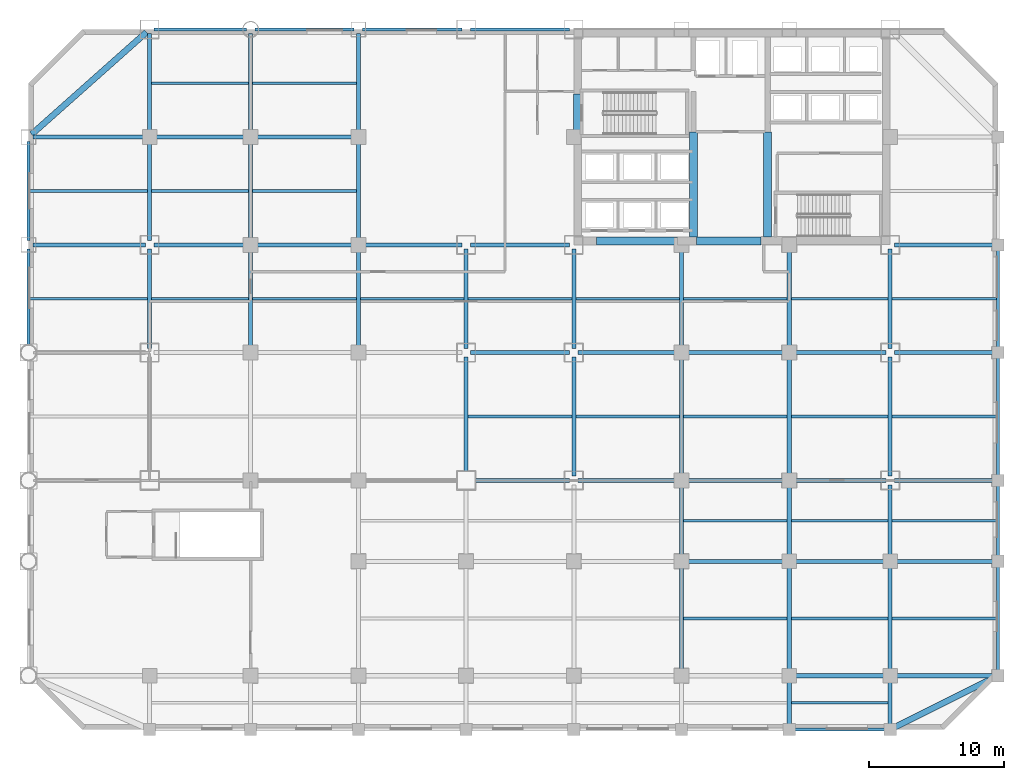
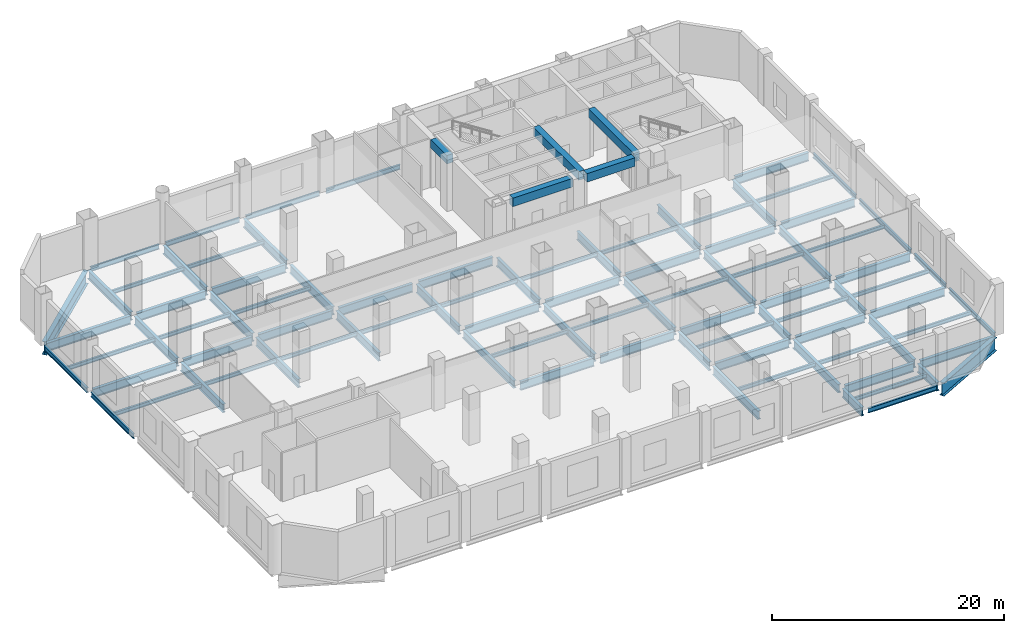
# One storey, part 2 of 9: 95 beams.
"""IFC4 building model written with IfcOpenShell, lengths in metres."""

from ifc_helpers import new_model, si_unit, direction, frame, origin, origin_2d, place, context, subcontext, project, spatial, rectangle, i_section, extrude, material, material_profile, profile_set, type_object, element, save


model = new_model("IFC4")

# Units and contexts
model_context = context("Model", 3, precision=1e-05, world=origin(), true_north=direction((0.0, 1.0)))
body_context = subcontext(model_context, "Body", "Model", "MODEL_VIEW")
ifc_project = project(units=[si_unit("LENGTHUNIT", "METRE"), si_unit("AREAUNIT", "SQUARE_METRE"), si_unit("VOLUMEUNIT", "CUBIC_METRE"), si_unit("PLANEANGLEUNIT", "RADIAN"), si_unit("MASSUNIT", "GRAM", prefix="KILO")], contexts=[model_context])

# Site, building, storey
site_placement = place(None, origin())
site = spatial("IfcSite", under=ifc_project, at=site_placement, CompositionType="ELEMENT")
building_placement = place(site_placement, origin())
building = spatial("IfcBuilding", under=site, at=building_placement, Name="Qianrong Seaharbour Tower", CompositionType="ELEMENT")
storey_placement = place(building_placement, frame((0.0, 0.0, 22.800048828125)))
storey = spatial("IfcBuildingStorey", under=building, at=storey_placement, Name="L05", CompositionType="ELEMENT", Elevation=22.800048828125)

# Beams
ifc_material_1 = material(Name="Structural steel SN490B", Category="steel")
ifc_material_profile_1 = material_profile(ifc_material_1, i_section(OverallWidth=0.300048828125, OverallDepth=0.800048828125, WebThickness=0.013916015625, FlangeThickness=0.02587890625, FilletRadius=0.028076171875, at=origin_2d()), Name="H800x300x14x26")
ifc_profile_set_1 = profile_set([ifc_material_profile_1], Name="Structural steel SN490B")
beam_type_1 = type_object("IfcBeamType", Name="BM-G-800", PredefinedType="BEAM", material=ifc_profile_set_1)
for number, where, z_axis, x_axis, name in (
    (1, (32.5, 18.820068359375, -0.66015625), (0.0, 1.0, 0.0), (-1.0, 0.0, 0.0), "L05 Primary Girder G5 GD-GE"),
    (2, (40.5, 18.820068359375, -0.66015625), (0.0, 1.0, 0.0), (-1.0, 0.0, 0.0), "L05 Primary Girder G6 GD-GE"),
    (3, (48.5, 18.820068359375, -0.66015625), (0.0, 1.0, 0.0), (-1.0, 0.0, 0.0), "L05 Primary Girder G7 GD-GE"),
    (4, (56.5, 18.820068359375, -0.66015625), (0.0, 1.0, 0.0), (-1.0, 0.0, 0.0), "L05 Primary Girder G8 GD-GE"),
    (5, (64.0, 18.820068359375, -0.66015625), (0.0, 1.0, 0.0), (-1.0, 0.0, 0.0), "L05 Primary Girder G9 GD-GE"),
):
    element("IfcBeam", number, at=place(storey_placement, frame(where, z_axis=z_axis, x_axis=x_axis)), inside=storey, type_object=beam_type_1, Name=name, PredefinedType="BEAM", context=body_context, shape_type="SweptSolid", body=[
        extrude(i_section(OverallWidth=0.300048828125, OverallDepth=0.800048828125, WebThickness=0.013916015625, FlangeThickness=0.02587890625, FilletRadius=0.028076171875, at=origin_2d()), origin(), (0.0, 0.0, 1.0), 8.85986328125),
    ])
ifc_material_profile_2 = material_profile(ifc_material_1, i_section(OverallWidth=0.300048828125, OverallDepth=0.89990234375, WebThickness=0.01611328125, FlangeThickness=0.028076171875, FilletRadius=0.028076171875, at=origin_2d()), Name="H900x300x16x28")
ifc_profile_set_2 = profile_set([ifc_material_profile_2], Name="Structural steel SN490B")
beam_type_2 = type_object("IfcBeamType", Name="BM-G-900", PredefinedType="BEAM", material=ifc_profile_set_2)
beam_1_placement = place(storey_placement, frame((56.820068359375, 4.0, -0.7099609375), z_axis=(1.0, 0.0, 0.0), x_axis=(0.0, 1.0, 0.0)))
element("IfcBeam", 6, at=beam_1_placement, inside=storey, type_object=beam_type_2, Name="L05 Primary Girder GB G8-G9", PredefinedType="BEAM", context=body_context, shape_type="SweptSolid", body=[
    extrude(i_section(OverallWidth=0.300048828125, OverallDepth=0.89990234375, WebThickness=0.01611328125, FlangeThickness=0.028076171875, FilletRadius=0.028076171875, at=origin_2d()), origin(), (0.0, 0.0, 1.0), 6.85986328125),
])
for number, where, z_axis, x_axis, name in (
    (7, (64.320068359375, 4.0, -0.7099609375), (1.0, 0.0, 0.0), (0.0, 1.0, 0.0), "L05 Primary Girder GB G9-G10"),
    (8, (48.820068359375, 12.5, -0.7099609375), (1.0, 0.0, 0.0), (0.0, 1.0, 0.0), "L05 Primary Girder GC G7-G8"),
):
    element("IfcBeam", number, at=place(storey_placement, frame(where, z_axis=z_axis, x_axis=x_axis)), inside=storey, type_object=beam_type_2, Name=name, PredefinedType="BEAM", context=body_context, shape_type="SweptSolid", body=[
        extrude(i_section(OverallWidth=0.300048828125, OverallDepth=0.89990234375, WebThickness=0.01611328125, FlangeThickness=0.028076171875, FilletRadius=0.028076171875, at=origin_2d()), origin(), (0.0, 0.0, 1.0), 7.35986328125),
    ])
beam_2_placement = place(storey_placement, frame((56.820068359375, 12.5, -0.7099609375), z_axis=(1.0, 0.0, 0.0), x_axis=(0.0, 1.0, 0.0)))
element("IfcBeam", 9, at=beam_2_placement, inside=storey, type_object=beam_type_2, Name="L05 Primary Girder GC G8-G9", PredefinedType="BEAM", context=body_context, shape_type="SweptSolid", body=[
    extrude(i_section(OverallWidth=0.300048828125, OverallDepth=0.89990234375, WebThickness=0.01611328125, FlangeThickness=0.028076171875, FilletRadius=0.028076171875, at=origin_2d()), origin(), (0.0, 0.0, 1.0), 6.85986328125),
])
for number, where, z_axis, x_axis, name in (
    (10, (64.320068359375, 12.5, -0.7099609375), (1.0, 0.0, 0.0), (0.0, 1.0, 0.0), "L05 Primary Girder GC G9-G10"),
    (11, (32.820068359375, 18.5, -0.7099609375), (1.0, 0.0, 0.0), (0.0, 1.0, 0.0), "L05 Primary Girder GD G5-G6"),
    (12, (40.820068359375, 18.5, -0.7099609375), (1.0, 0.0, 0.0), (0.0, 1.0, 0.0), "L05 Primary Girder GD G6-G7"),
    (13, (48.820068359375, 18.5, -0.7099609375), (1.0, 0.0, 0.0), (0.0, 1.0, 0.0), "L05 Primary Girder GD G7-G8"),
):
    element("IfcBeam", number, at=place(storey_placement, frame(where, z_axis=z_axis, x_axis=x_axis)), inside=storey, type_object=beam_type_2, Name=name, PredefinedType="BEAM", context=body_context, shape_type="SweptSolid", body=[
        extrude(i_section(OverallWidth=0.300048828125, OverallDepth=0.89990234375, WebThickness=0.01611328125, FlangeThickness=0.028076171875, FilletRadius=0.028076171875, at=origin_2d()), origin(), (0.0, 0.0, 1.0), 7.35986328125),
    ])
beam_3_placement = place(storey_placement, frame((56.820068359375, 18.5, -0.7099609375), z_axis=(1.0, 0.0, 0.0), x_axis=(0.0, 1.0, 0.0)))
element("IfcBeam", 14, at=beam_3_placement, inside=storey, type_object=beam_type_2, Name="L05 Primary Girder GD G8-G9", PredefinedType="BEAM", context=body_context, shape_type="SweptSolid", body=[
    extrude(i_section(OverallWidth=0.300048828125, OverallDepth=0.89990234375, WebThickness=0.01611328125, FlangeThickness=0.028076171875, FilletRadius=0.028076171875, at=origin_2d()), origin(), (0.0, 0.0, 1.0), 6.85986328125),
])
for number, where, z_axis, x_axis, name in (
    (15, (64.320068359375, 18.5, -0.7099609375), (1.0, 0.0, 0.0), (0.0, 1.0, 0.0), "L05 Primary Girder GD G9-G10"),
    (16, (32.820068359375, 28.0, -0.7099609375), (1.0, 0.0, 0.0), (0.0, 1.0, 0.0), "L05 Primary Girder GE G5-G6"),
    (17, (40.820068359375, 28.0, -0.7099609375), (1.0, 0.0, 0.0), (0.0, 1.0, 0.0), "L05 Primary Girder GE G6-G7"),
    (18, (48.820068359375, 28.0, -0.7099609375), (1.0, 0.0, 0.0), (0.0, 1.0, 0.0), "L05 Primary Girder GE G7-G8"),
):
    element("IfcBeam", number, at=place(storey_placement, frame(where, z_axis=z_axis, x_axis=x_axis)), inside=storey, type_object=beam_type_2, Name=name, PredefinedType="BEAM", context=body_context, shape_type="SweptSolid", body=[
        extrude(i_section(OverallWidth=0.300048828125, OverallDepth=0.89990234375, WebThickness=0.01611328125, FlangeThickness=0.028076171875, FilletRadius=0.028076171875, at=origin_2d()), origin(), (0.0, 0.0, 1.0), 7.35986328125),
    ])
beam_4_placement = place(storey_placement, frame((56.820068359375, 28.0, -0.7099609375), z_axis=(1.0, 0.0, 0.0), x_axis=(0.0, 1.0, 0.0)))
element("IfcBeam", 19, at=beam_4_placement, inside=storey, type_object=beam_type_2, Name="L05 Primary Girder GE G8-G9", PredefinedType="BEAM", context=body_context, shape_type="SweptSolid", body=[
    extrude(i_section(OverallWidth=0.300048828125, OverallDepth=0.89990234375, WebThickness=0.01611328125, FlangeThickness=0.028076171875, FilletRadius=0.028076171875, at=origin_2d()), origin(), (0.0, 0.0, 1.0), 6.85986328125),
])
beam_5_placement = place(storey_placement, frame((64.320068359375, 28.0, -0.7099609375), z_axis=(1.0, 0.0, 0.0), x_axis=(0.0, 1.0, 0.0)))
element("IfcBeam", 20, at=beam_5_placement, inside=storey, type_object=beam_type_2, Name="L05 Primary Girder GE G9-G10", PredefinedType="BEAM", context=body_context, shape_type="SweptSolid", body=[
    extrude(i_section(OverallWidth=0.300048828125, OverallDepth=0.89990234375, WebThickness=0.01611328125, FlangeThickness=0.028076171875, FilletRadius=0.028076171875, at=origin_2d()), origin(), (0.0, 0.0, 1.0), 7.35986328125),
])
beam_6_placement = place(storey_placement, frame((0.320068359375, 36.0, -0.7099609375), z_axis=(1.0, 0.0, 0.0), x_axis=(0.0, 1.0, 0.0)))
element("IfcBeam", 21, at=beam_6_placement, inside=storey, type_object=beam_type_2, Name="L05 Primary Girder GF G1-G2", PredefinedType="BEAM", context=body_context, shape_type="SweptSolid", body=[
    extrude(i_section(OverallWidth=0.300048828125, OverallDepth=0.89990234375, WebThickness=0.01611328125, FlangeThickness=0.028076171875, FilletRadius=0.028076171875, at=origin_2d()), origin(), (0.0, 0.0, 1.0), 8.35986328125),
])
beam_7_placement = place(storey_placement, frame((9.320068359375, 36.0, -0.7099609375), z_axis=(1.0, 0.0, 0.0), x_axis=(0.0, 1.0, 0.0)))
element("IfcBeam", 22, at=beam_7_placement, inside=storey, type_object=beam_type_2, Name="L05 Primary Girder GF G2-G3", PredefinedType="BEAM", context=body_context, shape_type="SweptSolid", body=[
    extrude(i_section(OverallWidth=0.300048828125, OverallDepth=0.89990234375, WebThickness=0.01611328125, FlangeThickness=0.028076171875, FilletRadius=0.028076171875, at=origin_2d()), origin(), (0.0, 0.0, 1.0), 6.85986328125),
])
for number, where, z_axis, x_axis, name in (
    (23, (16.820068359375, 36.0, -0.7099609375), (1.0, 0.0, 0.0), (0.0, 1.0, 0.0), "L05 Primary Girder GF G3-G4"),
    (24, (24.820068359375, 36.0, -0.7099609375), (1.0, 0.0, 0.0), (0.0, 1.0, 0.0), "L05 Primary Girder GF G4-G5"),
    (25, (32.820068359375, 36.0, -0.7099609375), (1.0, 0.0, 0.0), (0.0, 1.0, 0.0), "L05 Primary Girder GF G5-G6"),
    (26, (64.320068359375, 36.0, -0.7099609375), (1.0, 0.0, 0.0), (0.0, 1.0, 0.0), "L05 Primary Girder GF G9-G10"),
):
    element("IfcBeam", number, at=place(storey_placement, frame(where, z_axis=z_axis, x_axis=x_axis)), inside=storey, type_object=beam_type_2, Name=name, PredefinedType="BEAM", context=body_context, shape_type="SweptSolid", body=[
        extrude(i_section(OverallWidth=0.300048828125, OverallDepth=0.89990234375, WebThickness=0.01611328125, FlangeThickness=0.028076171875, FilletRadius=0.028076171875, at=origin_2d()), origin(), (0.0, 0.0, 1.0), 7.35986328125),
    ])
beam_8_placement = place(storey_placement, frame((0.320068359375, 44.0, -0.7099609375), z_axis=(1.0, 0.0, 0.0), x_axis=(0.0, 1.0, 0.0)))
element("IfcBeam", 27, at=beam_8_placement, inside=storey, type_object=beam_type_2, Name="L05 Primary Girder GG G1-G2", PredefinedType="BEAM", context=body_context, shape_type="SweptSolid", body=[
    extrude(i_section(OverallWidth=0.300048828125, OverallDepth=0.89990234375, WebThickness=0.01611328125, FlangeThickness=0.028076171875, FilletRadius=0.028076171875, at=origin_2d()), origin(), (0.0, 0.0, 1.0), 8.35986328125),
])
beam_9_placement = place(storey_placement, frame((9.320068359375, 44.0, -0.7099609375), z_axis=(1.0, 0.0, 0.0), x_axis=(0.0, 1.0, 0.0)))
element("IfcBeam", 28, at=beam_9_placement, inside=storey, type_object=beam_type_2, Name="L05 Primary Girder GG G2-G3", PredefinedType="BEAM", context=body_context, shape_type="SweptSolid", body=[
    extrude(i_section(OverallWidth=0.300048828125, OverallDepth=0.89990234375, WebThickness=0.01611328125, FlangeThickness=0.028076171875, FilletRadius=0.028076171875, at=origin_2d()), origin(), (0.0, 0.0, 1.0), 6.85986328125),
])
for number, where, z_axis, x_axis, name in (
    (29, (16.820068359375, 44.0, -0.7099609375), (1.0, 0.0, 0.0), (0.0, 1.0, 0.0), "L05 Primary Girder GG G3-G4"),
    (30, (9.0, 28.320068359375, -0.7099609375), (0.0, 1.0, 0.0), (-1.0, 0.0, 0.0), "L05 Primary Girder G2 GE-GF"),
    (31, (9.0, 36.320068359375, -0.7099609375), (0.0, 1.0, 0.0), (-1.0, 0.0, 0.0), "L05 Primary Girder G2 GF-GG"),
    (32, (9.0, 44.320068359375, -0.7099609375), (0.0, 1.0, 0.0), (-1.0, 0.0, 0.0), "L05 Primary Girder G2 GG-GH"),
    (33, (16.5, 28.320068359375, -0.7099609375), (0.0, 1.0, 0.0), (-1.0, 0.0, 0.0), "L05 Primary Girder G3 GE-GF"),
    (34, (16.5, 36.320068359375, -0.7099609375), (0.0, 1.0, 0.0), (-1.0, 0.0, 0.0), "L05 Primary Girder G3 GF-GG"),
    (35, (16.5, 44.320068359375, -0.7099609375), (0.0, 1.0, 0.0), (-1.0, 0.0, 0.0), "L05 Primary Girder G3 GG-GH"),
    (36, (24.5, 28.320068359375, -0.7099609375), (0.0, 1.0, 0.0), (-1.0, 0.0, 0.0), "L05 Primary Girder G4 GE-GF"),
    (37, (24.5, 36.320068359375, -0.7099609375), (0.0, 1.0, 0.0), (-1.0, 0.0, 0.0), "L05 Primary Girder G4 GF-GG"),
    (38, (24.5, 44.320068359375, -0.7099609375), (0.0, 1.0, 0.0), (-1.0, 0.0, 0.0), "L05 Primary Girder G4 GG-GH"),
    (39, (32.5, 28.320068359375, -0.7099609375), (0.0, 1.0, 0.0), (-1.0, 0.0, 0.0), "L05 Primary Girder G5 GE-GF"),
    (40, (40.5, 28.320068359375, -0.7099609375), (0.0, 1.0, 0.0), (-1.0, 0.0, 0.0), "L05 Primary Girder G6 GE-GF"),
):
    element("IfcBeam", number, at=place(storey_placement, frame(where, z_axis=z_axis, x_axis=x_axis)), inside=storey, type_object=beam_type_2, Name=name, PredefinedType="BEAM", context=body_context, shape_type="SweptSolid", body=[
        extrude(i_section(OverallWidth=0.300048828125, OverallDepth=0.89990234375, WebThickness=0.01611328125, FlangeThickness=0.028076171875, FilletRadius=0.028076171875, at=origin_2d()), origin(), (0.0, 0.0, 1.0), 7.35986328125),
    ])
beam_10_placement = place(storey_placement, frame((48.5, 4.320068359375, -0.7099609375), z_axis=(0.0, 1.0, 0.0), x_axis=(-1.0, 0.0, 0.0)))
element("IfcBeam", 41, at=beam_10_placement, inside=storey, type_object=beam_type_2, Name="L05 Primary Girder G7 GB-GC", PredefinedType="BEAM", context=body_context, shape_type="SweptSolid", body=[
    extrude(i_section(OverallWidth=0.300048828125, OverallDepth=0.89990234375, WebThickness=0.01611328125, FlangeThickness=0.028076171875, FilletRadius=0.028076171875, at=origin_2d()), origin(), (0.0, 0.0, 1.0), 7.85986328125),
])
beam_11_placement = place(storey_placement, frame((48.5, 12.820068359375, -0.7099609375), z_axis=(0.0, 1.0, 0.0), x_axis=(-1.0, 0.0, 0.0)))
element("IfcBeam", 42, at=beam_11_placement, inside=storey, type_object=beam_type_2, Name="L05 Primary Girder G7 GC-GD", PredefinedType="BEAM", context=body_context, shape_type="SweptSolid", body=[
    extrude(i_section(OverallWidth=0.300048828125, OverallDepth=0.89990234375, WebThickness=0.01611328125, FlangeThickness=0.028076171875, FilletRadius=0.028076171875, at=origin_2d()), origin(), (0.0, 0.0, 1.0), 5.35986328125),
])
beam_12_placement = place(storey_placement, frame((48.5, 28.320068359375, -0.7099609375), z_axis=(0.0, 1.0, 0.0), x_axis=(-1.0, 0.0, 0.0)))
element("IfcBeam", 43, at=beam_12_placement, inside=storey, type_object=beam_type_2, Name="L05 Primary Girder G7 GE-GF", PredefinedType="BEAM", context=body_context, shape_type="SweptSolid", body=[
    extrude(i_section(OverallWidth=0.300048828125, OverallDepth=0.89990234375, WebThickness=0.01611328125, FlangeThickness=0.028076171875, FilletRadius=0.028076171875, at=origin_2d()), origin(), (0.0, 0.0, 1.0), 7.35986328125),
])
beam_13_placement = place(storey_placement, frame((56.5, 0.320068359375, -0.7099609375), z_axis=(0.0, 1.0, 0.0), x_axis=(-1.0, 0.0, 0.0)))
element("IfcBeam", 44, at=beam_13_placement, inside=storey, type_object=beam_type_2, Name="L05 Primary Girder G8 GA-GB", PredefinedType="BEAM", context=body_context, shape_type="SweptSolid", body=[
    extrude(i_section(OverallWidth=0.300048828125, OverallDepth=0.89990234375, WebThickness=0.01611328125, FlangeThickness=0.028076171875, FilletRadius=0.028076171875, at=origin_2d()), origin(), (0.0, 0.0, 1.0), 3.35986328125),
])
beam_14_placement = place(storey_placement, frame((56.5, 4.320068359375, -0.7099609375), z_axis=(0.0, 1.0, 0.0), x_axis=(-1.0, 0.0, 0.0)))
element("IfcBeam", 45, at=beam_14_placement, inside=storey, type_object=beam_type_2, Name="L05 Primary Girder G8 GB-GC", PredefinedType="BEAM", context=body_context, shape_type="SweptSolid", body=[
    extrude(i_section(OverallWidth=0.300048828125, OverallDepth=0.89990234375, WebThickness=0.01611328125, FlangeThickness=0.028076171875, FilletRadius=0.028076171875, at=origin_2d()), origin(), (0.0, 0.0, 1.0), 7.85986328125),
])
beam_15_placement = place(storey_placement, frame((56.5, 12.820068359375, -0.7099609375), z_axis=(0.0, 1.0, 0.0), x_axis=(-1.0, 0.0, 0.0)))
element("IfcBeam", 46, at=beam_15_placement, inside=storey, type_object=beam_type_2, Name="L05 Primary Girder G8 GC-GD", PredefinedType="BEAM", context=body_context, shape_type="SweptSolid", body=[
    extrude(i_section(OverallWidth=0.300048828125, OverallDepth=0.89990234375, WebThickness=0.01611328125, FlangeThickness=0.028076171875, FilletRadius=0.028076171875, at=origin_2d()), origin(), (0.0, 0.0, 1.0), 5.35986328125),
])
beam_16_placement = place(storey_placement, frame((56.5, 28.320068359375, -0.7099609375), z_axis=(0.0, 1.0, 0.0), x_axis=(-1.0, 0.0, 0.0)))
element("IfcBeam", 47, at=beam_16_placement, inside=storey, type_object=beam_type_2, Name="L05 Primary Girder G8 GE-GF", PredefinedType="BEAM", context=body_context, shape_type="SweptSolid", body=[
    extrude(i_section(OverallWidth=0.300048828125, OverallDepth=0.89990234375, WebThickness=0.01611328125, FlangeThickness=0.028076171875, FilletRadius=0.028076171875, at=origin_2d()), origin(), (0.0, 0.0, 1.0), 7.35986328125),
])
beam_17_placement = place(storey_placement, frame((64.0, 0.320068359375, -0.7099609375), z_axis=(0.0, 1.0, 0.0), x_axis=(-1.0, 0.0, 0.0)))
element("IfcBeam", 48, at=beam_17_placement, inside=storey, type_object=beam_type_2, Name="L05 Primary Girder G9 GA-GB", PredefinedType="BEAM", context=body_context, shape_type="SweptSolid", body=[
    extrude(i_section(OverallWidth=0.300048828125, OverallDepth=0.89990234375, WebThickness=0.01611328125, FlangeThickness=0.028076171875, FilletRadius=0.028076171875, at=origin_2d()), origin(), (0.0, 0.0, 1.0), 3.35986328125),
])
beam_18_placement = place(storey_placement, frame((64.0, 4.320068359375, -0.7099609375), z_axis=(0.0, 1.0, 0.0), x_axis=(-1.0, 0.0, 0.0)))
element("IfcBeam", 49, at=beam_18_placement, inside=storey, type_object=beam_type_2, Name="L05 Primary Girder G9 GB-GC", PredefinedType="BEAM", context=body_context, shape_type="SweptSolid", body=[
    extrude(i_section(OverallWidth=0.300048828125, OverallDepth=0.89990234375, WebThickness=0.01611328125, FlangeThickness=0.028076171875, FilletRadius=0.028076171875, at=origin_2d()), origin(), (0.0, 0.0, 1.0), 7.85986328125),
])
beam_19_placement = place(storey_placement, frame((64.0, 12.820068359375, -0.7099609375), z_axis=(0.0, 1.0, 0.0), x_axis=(-1.0, 0.0, 0.0)))
element("IfcBeam", 50, at=beam_19_placement, inside=storey, type_object=beam_type_2, Name="L05 Primary Girder G9 GC-GD", PredefinedType="BEAM", context=body_context, shape_type="SweptSolid", body=[
    extrude(i_section(OverallWidth=0.300048828125, OverallDepth=0.89990234375, WebThickness=0.01611328125, FlangeThickness=0.028076171875, FilletRadius=0.028076171875, at=origin_2d()), origin(), (0.0, 0.0, 1.0), 5.35986328125),
])
beam_20_placement = place(storey_placement, frame((64.0, 28.320068359375, -0.7099609375), z_axis=(0.0, 1.0, 0.0), x_axis=(-1.0, 0.0, 0.0)))
element("IfcBeam", 51, at=beam_20_placement, inside=storey, type_object=beam_type_2, Name="L05 Primary Girder G9 GE-GF", PredefinedType="BEAM", context=body_context, shape_type="SweptSolid", body=[
    extrude(i_section(OverallWidth=0.300048828125, OverallDepth=0.89990234375, WebThickness=0.01611328125, FlangeThickness=0.028076171875, FilletRadius=0.028076171875, at=origin_2d()), origin(), (0.0, 0.0, 1.0), 7.35986328125),
])
ifc_material_2 = material(Name="Structural steel SN400B", Category="steel")
ifc_material_profile_3 = material_profile(ifc_material_2, i_section(OverallWidth=0.199951171875, OverallDepth=0.39990234375, WebThickness=0.008056640625, FlangeThickness=0.012939453125, FilletRadius=0.01611328125, at=origin_2d()), Name="H400x200x8x13")
ifc_profile_set_3 = profile_set([ifc_material_profile_3], Name="Structural steel SN400B")
beam_type_3 = type_object("IfcBeamType", Name="BM-J-400", PredefinedType="JOIST", material=ifc_profile_set_3)
for number, where, z_axis, x_axis, name in (
    (52, (0.10009765625, 32.0, -0.4599609375), (1.0, 0.0, 0.0), (0.0, 1.0, 0.0), "L05 Composite Floor Joist G1-G2/GE-GF"),
    (53, (0.10009765625, 40.0, -0.4599609375), (1.0, 0.0, 0.0), (0.0, 1.0, 0.0), "L05 Composite Floor Joist G1-G2/GF-GG"),
):
    element("IfcBeam", number, at=place(storey_placement, frame(where, z_axis=z_axis, x_axis=x_axis)), inside=storey, type_object=beam_type_3, Name=name, PredefinedType="JOIST", context=body_context, shape_type="SweptSolid", body=[
        extrude(i_section(OverallWidth=0.199951171875, OverallDepth=0.39990234375, WebThickness=0.008056640625, FlangeThickness=0.012939453125, FilletRadius=0.01611328125, at=origin_2d()), origin(), (0.0, 0.0, 1.0), 8.75),
    ])
for number, where, z_axis, x_axis, name in (
    (54, (9.14990234375, 32.0, -0.4599609375), (1.0, 0.0, 0.0), (0.0, 1.0, 0.0), "L05 Composite Floor Joist G2-G3/GE-GF"),
    (55, (9.14990234375, 40.0, -0.4599609375), (1.0, 0.0, 0.0), (0.0, 1.0, 0.0), "L05 Composite Floor Joist G2-G3/GF-GG"),
    (56, (9.14990234375, 48.0, -0.4599609375), (1.0, 0.0, 0.0), (0.0, 1.0, 0.0), "L05 Composite Floor Joist G2-G3/GG-GH"),
):
    element("IfcBeam", number, at=place(storey_placement, frame(where, z_axis=z_axis, x_axis=x_axis)), inside=storey, type_object=beam_type_3, Name=name, PredefinedType="JOIST", context=body_context, shape_type="SweptSolid", body=[
        extrude(i_section(OverallWidth=0.199951171875, OverallDepth=0.39990234375, WebThickness=0.008056640625, FlangeThickness=0.012939453125, FilletRadius=0.01611328125, at=origin_2d()), origin(), (0.0, 0.0, 1.0), 7.2001953125),
    ])
for number, where, z_axis, x_axis, name in (
    (57, (16.64990234375, 32.0, -0.4599609375), (1.0, 0.0, 0.0), (0.0, 1.0, 0.0), "L05 Composite Floor Joist G3-G4/GE-GF"),
    (58, (16.64990234375, 40.0, -0.4599609375), (1.0, 0.0, 0.0), (0.0, 1.0, 0.0), "L05 Composite Floor Joist G3-G4/GF-GG"),
    (59, (16.64990234375, 48.0, -0.4599609375), (1.0, 0.0, 0.0), (0.0, 1.0, 0.0), "L05 Composite Floor Joist G3-G4/GG-GH"),
    (60, (24.64990234375, 32.0, -0.4599609375), (1.0, 0.0, 0.0), (0.0, 1.0, 0.0), "L05 Composite Floor Joist G4-G5/GE-GF"),
    (61, (32.64990234375, 23.25, -0.4599609375), (1.0, 0.0, 0.0), (0.0, 1.0, 0.0), "L05 Composite Floor Joist G5-G6/GD-GE"),
    (62, (32.64990234375, 32.0, -0.4599609375), (1.0, 0.0, 0.0), (0.0, 1.0, 0.0), "L05 Composite Floor Joist G5-G6/GE-GF"),
    (63, (40.64990234375, 23.25, -0.4599609375), (1.0, 0.0, 0.0), (0.0, 1.0, 0.0), "L05 Composite Floor Joist G6-G7/GD-GE"),
    (64, (40.64990234375, 32.0, -0.4599609375), (1.0, 0.0, 0.0), (0.0, 1.0, 0.0), "L05 Composite Floor Joist G6-G7/GE-GF"),
    (65, (48.64990234375, 8.25, -0.4599609375), (1.0, 0.0, 0.0), (0.0, 1.0, 0.0), "L05 Composite Floor Joist G7-G8/GB-GC"),
    (66, (48.64990234375, 15.5, -0.4599609375), (1.0, 0.0, 0.0), (0.0, 1.0, 0.0), "L05 Composite Floor Joist G7-G8/GC-GD"),
    (67, (48.64990234375, 23.25, -0.4599609375), (1.0, 0.0, 0.0), (0.0, 1.0, 0.0), "L05 Composite Floor Joist G7-G8/GD-GE"),
    (68, (48.64990234375, 32.0, -0.4599609375), (1.0, 0.0, 0.0), (0.0, 1.0, 0.0), "L05 Composite Floor Joist G7-G8/GE-GF"),
):
    element("IfcBeam", number, at=place(storey_placement, frame(where, z_axis=z_axis, x_axis=x_axis)), inside=storey, type_object=beam_type_3, Name=name, PredefinedType="JOIST", context=body_context, shape_type="SweptSolid", body=[
        extrude(i_section(OverallWidth=0.199951171875, OverallDepth=0.39990234375, WebThickness=0.008056640625, FlangeThickness=0.012939453125, FilletRadius=0.01611328125, at=origin_2d()), origin(), (0.0, 0.0, 1.0), 7.7001953125),
    ])
for number, where, z_axis, x_axis, name in (
    (69, (56.64990234375, 2.0, -0.4599609375), (1.0, 0.0, 0.0), (0.0, 1.0, 0.0), "L05 Composite Floor Joist G8-G9/GA-GB"),
    (70, (56.64990234375, 8.25, -0.4599609375), (1.0, 0.0, 0.0), (0.0, 1.0, 0.0), "L05 Composite Floor Joist G8-G9/GB-GC"),
    (71, (56.64990234375, 15.5, -0.4599609375), (1.0, 0.0, 0.0), (0.0, 1.0, 0.0), "L05 Composite Floor Joist G8-G9/GC-GD"),
    (72, (56.64990234375, 23.25, -0.4599609375), (1.0, 0.0, 0.0), (0.0, 1.0, 0.0), "L05 Composite Floor Joist G8-G9/GD-GE"),
    (73, (56.64990234375, 32.0, -0.4599609375), (1.0, 0.0, 0.0), (0.0, 1.0, 0.0), "L05 Composite Floor Joist G8-G9/GE-GF"),
):
    element("IfcBeam", number, at=place(storey_placement, frame(where, z_axis=z_axis, x_axis=x_axis)), inside=storey, type_object=beam_type_3, Name=name, PredefinedType="JOIST", context=body_context, shape_type="SweptSolid", body=[
        extrude(i_section(OverallWidth=0.199951171875, OverallDepth=0.39990234375, WebThickness=0.008056640625, FlangeThickness=0.012939453125, FilletRadius=0.01611328125, at=origin_2d()), origin(), (0.0, 0.0, 1.0), 7.2001953125),
    ])
for number, where, z_axis, x_axis, name in (
    (74, (64.14990234375, 8.25, -0.4599609375), (1.0, 0.0, 0.0), (0.0, 1.0, 0.0), "L05 Composite Floor Joist G9-G10/GB-GC"),
    (75, (64.14990234375, 15.5, -0.4599609375), (1.0, 0.0, 0.0), (0.0, 1.0, 0.0), "L05 Composite Floor Joist G9-G10/GC-GD"),
    (76, (64.14990234375, 23.25, -0.4599609375), (1.0, 0.0, 0.0), (0.0, 1.0, 0.0), "L05 Composite Floor Joist G9-G10/GD-GE"),
    (77, (64.14990234375, 32.0, -0.4599609375), (1.0, 0.0, 0.0), (0.0, 1.0, 0.0), "L05 Composite Floor Joist G9-G10/GE-GF"),
):
    element("IfcBeam", number, at=place(storey_placement, frame(where, z_axis=z_axis, x_axis=x_axis)), inside=storey, type_object=beam_type_3, Name=name, PredefinedType="JOIST", context=body_context, shape_type="SweptSolid", body=[
        extrude(i_section(OverallWidth=0.199951171875, OverallDepth=0.39990234375, WebThickness=0.008056640625, FlangeThickness=0.012939453125, FilletRadius=0.01611328125, at=origin_2d()), origin(), (0.0, 0.0, 1.0), 7.75),
    ])
ifc_material_3 = material(Name="Concrete C70/85", Category="concrete")
ifc_material_profile_4 = material_profile(ifc_material_3, rectangle(XDim=0.60009765625, YDim=0.89990234375, at=origin_2d()), Name="RC600x900")
ifc_profile_set_4 = profile_set([ifc_material_profile_4], Name="Concrete C70/85")
beam_type_4 = type_object("IfcBeamType", Name="BM-LINTEL-900", PredefinedType="LINTEL", material=ifc_profile_set_4)
beam_21_placement = place(storey_placement, frame((40.7900390625, 44.39990234375, 4.699951171875), z_axis=(0.0, 1.0, 0.0), x_axis=(-1.0, 0.0, 0.0)))
element("IfcBeam", 78, at=beam_21_placement, inside=storey, type_object=beam_type_4, Name="L05 Core Coupling Lintel Beam West", PredefinedType="LINTEL", context=body_context, shape_type="SweptSolid", body=[
    extrude(rectangle(XDim=0.60009765625, YDim=0.89990234375, at=origin_2d()), origin(), (0.0, 0.0, 1.0), 2.800048828125),
])
beam_22_placement = place(storey_placement, frame((42.199951171875, 36.2900390625, 4.699951171875), z_axis=(1.0, 0.0, 0.0), x_axis=(0.0, 1.0, 0.0)))
element("IfcBeam", 79, at=beam_22_placement, inside=storey, type_object=beam_type_4, Name="L05 Core Coupling Lintel Beam CBW", PredefinedType="LINTEL", context=body_context, shape_type="SweptSolid", body=[
    extrude(rectangle(XDim=0.60009765625, YDim=0.89990234375, at=origin_2d()), origin(), (0.0, 0.0, 1.0), 6.0),
])
beam_23_placement = place(storey_placement, frame((49.60009765625, 36.2900390625, 4.699951171875), z_axis=(1.0, 0.0, 0.0), x_axis=(0.0, 1.0, 0.0)))
element("IfcBeam", 80, at=beam_23_placement, inside=storey, type_object=beam_type_4, Name="L05 Core Coupling Lintel Beam CBC", PredefinedType="LINTEL", context=body_context, shape_type="SweptSolid", body=[
    extrude(rectangle(XDim=0.60009765625, YDim=0.89990234375, at=origin_2d()), origin(), (0.0, 0.0, 1.0), 4.7998046875),
])
for number, where, z_axis, x_axis, name in (
    (81, (49.39990234375, 36.580078125, 4.699951171875), (0.0, 1.0, 0.0), (-1.0, 0.0, 0.0), "L05 Internal Core Coupling Beam IW1"),
    (82, (54.89990234375, 36.580078125, 4.699951171875), (0.0, 1.0, 0.0), (-1.0, 0.0, 0.0), "L05 Internal Core Coupling Beam IW2"),
):
    element("IfcBeam", number, at=place(storey_placement, frame(where, z_axis=z_axis, x_axis=x_axis)), inside=storey, type_object=beam_type_4, Name=name, PredefinedType="LINTEL", context=body_context, shape_type="SweptSolid", body=[
        extrude(rectangle(XDim=0.60009765625, YDim=0.89990234375, at=origin_2d()), origin(), (0.0, 0.0, 1.0), 7.81982421875),
    ])
ifc_material_profile_5 = material_profile(ifc_material_1, i_section(OverallWidth=0.199951171875, OverallDepth=0.5, WebThickness=0.010009765625, FlangeThickness=0.01611328125, FilletRadius=0.02001953125, at=origin_2d()), Name="H500x200x10x16")
ifc_profile_set_5 = profile_set([ifc_material_profile_5], Name="Structural steel SN490B")
beam_type_5 = type_object("IfcBeamType", Name="BM-SP-500", PredefinedType="SPANDREL", material=ifc_profile_set_5)
for number, where, z_axis, x_axis, name in (
    (83, (56.820068359375, 0.0, -0.510009765625), (1.0, 0.0, 0.0), (0.0, 1.0, 0.0), "L05 Spandrel Girder GA G8-G9"),
    (84, (9.320068359375, 52.0, -0.510009765625), (1.0, 0.0, 0.0), (0.0, 1.0, 0.0), "L05 Spandrel Girder GH G2-G3"),
):
    element("IfcBeam", number, at=place(storey_placement, frame(where, z_axis=z_axis, x_axis=x_axis)), inside=storey, type_object=beam_type_5, Name=name, PredefinedType="SPANDREL", context=body_context, shape_type="SweptSolid", body=[
        extrude(i_section(OverallWidth=0.199951171875, OverallDepth=0.5, WebThickness=0.010009765625, FlangeThickness=0.01611328125, FilletRadius=0.02001953125, at=origin_2d()), origin(), (0.0, 0.0, 1.0), 6.85986328125),
    ])
for number, where, z_axis, x_axis, name in (
    (85, (16.820068359375, 52.0, -0.510009765625), (1.0, 0.0, 0.0), (0.0, 1.0, 0.0), "L05 Spandrel Girder GH G3-G4"),
    (86, (24.820068359375, 52.0, -0.510009765625), (1.0, 0.0, 0.0), (0.0, 1.0, 0.0), "L05 Spandrel Girder GH G4-G5"),
    (87, (32.820068359375, 52.0, -0.510009765625), (1.0, 0.0, 0.0), (0.0, 1.0, 0.0), "L05 Spandrel Girder GH G5-G6"),
    (88, (0.0, 28.320068359375, -0.510009765625), (0.0, 1.0, 0.0), (-1.0, 0.0, 0.0), "L05 Spandrel Girder G1 GE-GF"),
    (89, (0.0, 36.320068359375, -0.510009765625), (0.0, 1.0, 0.0), (-1.0, 0.0, 0.0), "L05 Spandrel Girder G1 GF-GG"),
):
    element("IfcBeam", number, at=place(storey_placement, frame(where, z_axis=z_axis, x_axis=x_axis)), inside=storey, type_object=beam_type_5, Name=name, PredefinedType="SPANDREL", context=body_context, shape_type="SweptSolid", body=[
        extrude(i_section(OverallWidth=0.199951171875, OverallDepth=0.5, WebThickness=0.010009765625, FlangeThickness=0.01611328125, FilletRadius=0.02001953125, at=origin_2d()), origin(), (0.0, 0.0, 1.0), 7.35986328125),
    ])
beam_24_placement = place(storey_placement, frame((72.0, 4.320068359375, -0.510009765625), z_axis=(0.0, 1.0, 0.0), x_axis=(-1.0, 0.0, 0.0)))
element("IfcBeam", 90, at=beam_24_placement, inside=storey, type_object=beam_type_5, Name="L05 Spandrel Girder G10 GB-GC", PredefinedType="SPANDREL", context=body_context, shape_type="SweptSolid", body=[
    extrude(i_section(OverallWidth=0.199951171875, OverallDepth=0.5, WebThickness=0.010009765625, FlangeThickness=0.01611328125, FilletRadius=0.02001953125, at=origin_2d()), origin(), (0.0, 0.0, 1.0), 7.85986328125),
])
beam_25_placement = place(storey_placement, frame((72.0, 12.820068359375, -0.510009765625), z_axis=(0.0, 1.0, 0.0), x_axis=(-1.0, 0.0, 0.0)))
element("IfcBeam", 91, at=beam_25_placement, inside=storey, type_object=beam_type_5, Name="L05 Spandrel Girder G10 GC-GD", PredefinedType="SPANDREL", context=body_context, shape_type="SweptSolid", body=[
    extrude(i_section(OverallWidth=0.199951171875, OverallDepth=0.5, WebThickness=0.010009765625, FlangeThickness=0.01611328125, FilletRadius=0.02001953125, at=origin_2d()), origin(), (0.0, 0.0, 1.0), 5.35986328125),
])
beam_26_placement = place(storey_placement, frame((72.0, 18.820068359375, -0.510009765625), z_axis=(0.0, 1.0, 0.0), x_axis=(-1.0, 0.0, 0.0)))
element("IfcBeam", 92, at=beam_26_placement, inside=storey, type_object=beam_type_5, Name="L05 Spandrel Girder G10 GD-GE", PredefinedType="SPANDREL", context=body_context, shape_type="SweptSolid", body=[
    extrude(i_section(OverallWidth=0.199951171875, OverallDepth=0.5, WebThickness=0.010009765625, FlangeThickness=0.01611328125, FilletRadius=0.02001953125, at=origin_2d()), origin(), (0.0, 0.0, 1.0), 8.85986328125),
])
beam_27_placement = place(storey_placement, frame((72.0, 28.320068359375, -0.510009765625), z_axis=(0.0, 1.0, 0.0), x_axis=(-1.0, 0.0, 0.0)))
element("IfcBeam", 93, at=beam_27_placement, inside=storey, type_object=beam_type_5, Name="L05 Spandrel Girder G10 GE-GF", PredefinedType="SPANDREL", context=body_context, shape_type="SweptSolid", body=[
    extrude(i_section(OverallWidth=0.199951171875, OverallDepth=0.5, WebThickness=0.010009765625, FlangeThickness=0.01611328125, FilletRadius=0.02001953125, at=origin_2d()), origin(), (0.0, 0.0, 1.0), 7.35986328125),
])
ifc_material_profile_6 = material_profile(ifc_material_1, i_section(OverallWidth=0.449951171875, OverallDepth=1.39990234375, WebThickness=0.02197265625, FlangeThickness=0.0400390625, at=origin_2d()), Name="BH1400x450x22x40")
ifc_profile_set_6 = profile_set([ifc_material_profile_6], Name="Structural steel SN490B")
beam_type_6 = type_object("IfcBeamType", Name="BM-TG-1400", PredefinedType="BEAM", material=ifc_profile_set_6)
beam_28_placement = place(storey_placement, frame((8.7607421875, 51.787353515625, -0.9599609375), z_axis=(-0.747406955841, -0.664366497018, 0.0), x_axis=(0.664366497018, -0.747406955841, 0.0)))
element("IfcBeam", 94, at=beam_28_placement, inside=storey, type_object=beam_type_6, Name="L05 Chamfer Corner Spandrel Girder G1/GH", PredefinedType="BEAM", context=body_context, shape_type="SweptSolid", body=[
    extrude(i_section(OverallWidth=0.449951171875, OverallDepth=1.39990234375, WebThickness=0.02197265625, FlangeThickness=0.0400390625, at=origin_2d()), origin(), (0.0, 0.0, 1.0), 11.4013671875),
])
beam_29_placement = place(storey_placement, frame((64.2861328125, 0.14306640625, -0.9599609375), z_axis=(0.894427191, 0.4472135955, 0.0), x_axis=(-0.4472135955, 0.894427191, 0.0)))
element("IfcBeam", 95, at=beam_29_placement, inside=storey, type_object=beam_type_6, Name="L05 Chamfer Corner Spandrel Girder G10/GA", PredefinedType="BEAM", context=body_context, shape_type="SweptSolid", body=[
    extrude(i_section(OverallWidth=0.449951171875, OverallDepth=1.39990234375, WebThickness=0.02197265625, FlangeThickness=0.0400390625, at=origin_2d()), origin(), (0.0, 0.0, 1.0), 8.304443359375),
])

save(model, "model.ifc")
